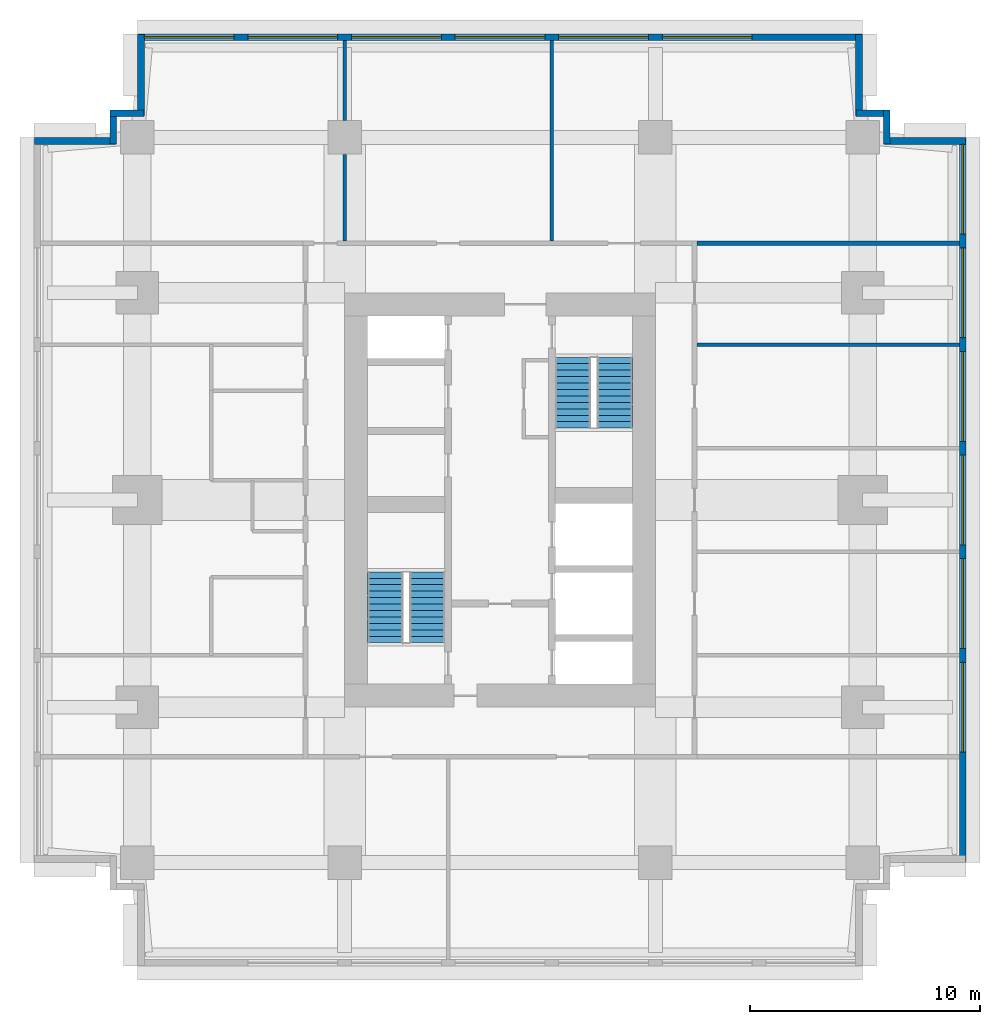
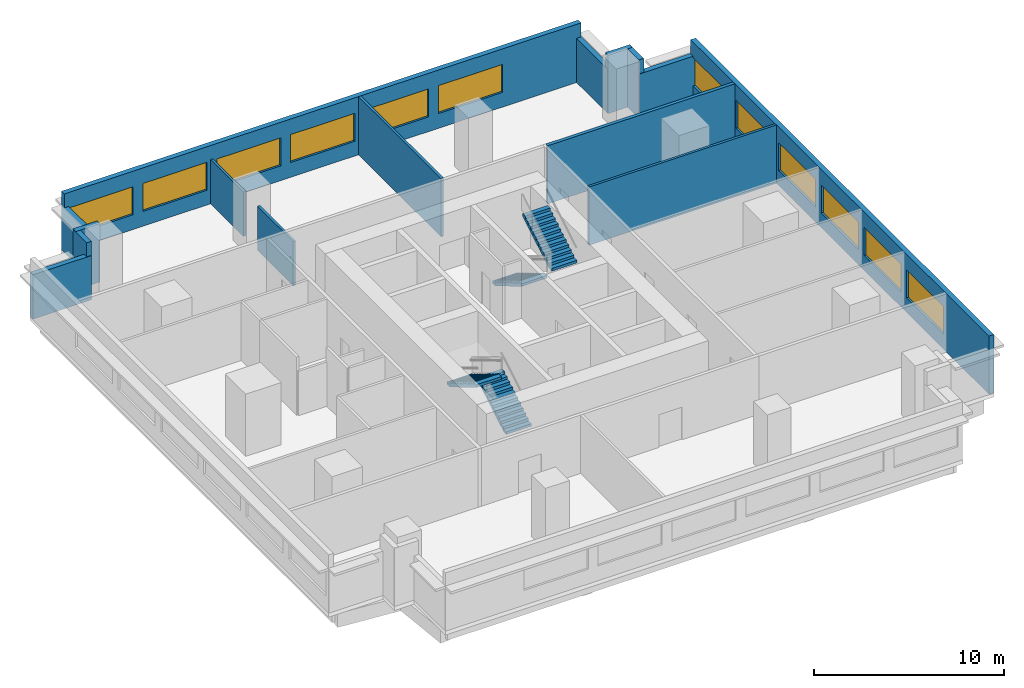
# One storey, part 4 of 5: 15 walls, 12 windows, 4 stair flights, 12 openings, 2 elements without a shape of their own.
"""IFC4 building model written with IfcOpenShell, lengths in metres."""

from ifc_helpers import new_model, si_unit, direction, frame, frame_2d, origin, place, context, subcontext, project, spatial, polyline, rectangle, outline, extrude, material, layer, layer_set, type_object, element, fill, aggregate, save


model = new_model("IFC4")

# Units and contexts
model_context = context("Model", 3, precision=1e-05, world=origin(), true_north=direction((0.0, 1.0)))
body_context = subcontext(model_context, "Body", "Model", "MODEL_VIEW")
ifc_project = project(units=[si_unit("LENGTHUNIT", "METRE"), si_unit("AREAUNIT", "SQUARE_METRE"), si_unit("VOLUMEUNIT", "CUBIC_METRE"), si_unit("PLANEANGLEUNIT", "RADIAN"), si_unit("MASSUNIT", "GRAM", prefix="KILO")], contexts=[model_context])

# Site, building, storey
site_placement = place(None, origin())
site = spatial("IfcSite", under=ifc_project, at=site_placement, CompositionType="ELEMENT")
building_placement = place(site_placement, origin())
building = spatial("IfcBuilding", under=site, at=building_placement, Name="Namib Vertical Campus", CompositionType="ELEMENT")
storey_placement = place(building_placement, frame((0.0, 0.0, 257.0)))
storey = spatial("IfcBuildingStorey", under=building, at=storey_placement, Name="L60", CompositionType="ELEMENT", Elevation=257.0)

# Wall
ifc_material_1 = material(Name="Concrete masonry", Category="masonry")
ifc_layer_1 = layer(ifc_material_1, 0.199951171875)
ifc_layer_set_1 = layer_set([ifc_layer_1], Name="Corridor wall 200")
wall_type_1 = type_object("IfcWallType", Name="Corridor wall 200", PredefinedType="SOLIDWALL", material=ifc_layer_set_1)
wall_1_placement = place(storey_placement, frame((28.800048828125, 31.39990234375, 0.0), z_axis=(0.0, 0.0, 1.0), x_axis=(1.0, 0.0, 0.0)))
element("IfcWall", 1, at=wall_1_placement, inside=storey, type_object=wall_type_1, Name="Partition A L60 BNE", PredefinedType="SOLIDWALL", context=body_context, shape_type="SweptSolid", body=[
    extrude(rectangle(XDim=11.39990234375, YDim=0.199951171875, at=frame_2d((5.699951171875, 0.0))), origin(), (0.0, 0.0, 1.0), 3.75),
])

# Wall, openings, windows
ifc_material_2 = material(Name="Concrete C40/50", Category="concrete")
ifc_layer_2 = layer(ifc_material_2, 0.300048828125)
ifc_layer_set_2 = layer_set([ifc_layer_2], Name="Concrete C40/50")
wall_type_2 = type_object("IfcWallType", Name="External wall 300 board-marked concrete", PredefinedType="STANDARD", material=ifc_layer_set_2)
wall_2_placement = place(storey_placement, frame((40.35009765625, 4.52001953125, 0.0), z_axis=(0.0, 0.0, 1.0), x_axis=(0.0, 1.0, 0.0)))
wall_2 = element("IfcWall", 2, at=wall_2_placement, inside=storey, type_object=wall_type_2, Name="External wall L60 F06", PredefinedType="STANDARD", context=body_context, shape_type="SweptSolid", body=[
    extrude(rectangle(XDim=31.4599609375, YDim=0.300048828125, at=frame_2d((15.72998046875, 0.0))), origin(), (0.0, 0.0, 1.0), 3.75),
])
opening_1_placement = place(wall_2_placement, frame((4.780029296875, 0.0, 0.949951171875)))
opening_1 = element("IfcOpeningElement", 3, at=opening_1_placement, cuts=wall_2, Name="Opening W3", PredefinedType="OPENING", context=body_context, shape_type="SweptSolid", body=[
    extrude(rectangle(XDim=3.89990234375, YDim=1.800048828125, at=frame_2d((1.949951171875, 0.89990234375))), frame((0.0, 0.159912109375, 0.0), z_axis=(0.0, -1.0, 0.0), x_axis=(1.0, 0.0, 0.0)), (0.0, 0.0, 1.0), 0.320068359375),
])
opening_2_placement = place(wall_2_placement, frame((9.280029296875, 0.0, 0.949951171875)))
opening_2 = element("IfcOpeningElement", 4, at=opening_2_placement, cuts=wall_2, Name="Opening W3", PredefinedType="OPENING", context=body_context, shape_type="SweptSolid", body=[
    extrude(rectangle(XDim=3.89990234375, YDim=1.800048828125, at=frame_2d((1.949951171875, 0.89990234375))), frame((0.0, 0.159912109375, 0.0), z_axis=(0.0, -1.0, 0.0), x_axis=(1.0, 0.0, 0.0)), (0.0, 0.0, 1.0), 0.320068359375),
])
opening_3_placement = place(wall_2_placement, frame((13.780029296875, 0.0, 0.949951171875)))
opening_3 = element("IfcOpeningElement", 5, at=opening_3_placement, cuts=wall_2, Name="Opening W3", PredefinedType="OPENING", context=body_context, shape_type="SweptSolid", body=[
    extrude(rectangle(XDim=3.89990234375, YDim=1.800048828125, at=frame_2d((1.949951171875, 0.89990234375))), frame((0.0, 0.159912109375, 0.0), z_axis=(0.0, -1.0, 0.0), x_axis=(1.0, 0.0, 0.0)), (0.0, 0.0, 1.0), 0.320068359375),
])
opening_4_placement = place(wall_2_placement, frame((18.280029296875, 0.0, 0.949951171875)))
opening_4 = element("IfcOpeningElement", 6, at=opening_4_placement, cuts=wall_2, Name="Opening W3", PredefinedType="OPENING", context=body_context, shape_type="SweptSolid", body=[
    extrude(rectangle(XDim=3.89990234375, YDim=1.800048828125, at=frame_2d((1.949951171875, 0.89990234375))), frame((0.0, 0.159912109375, 0.0), z_axis=(0.0, -1.0, 0.0), x_axis=(1.0, 0.0, 0.0)), (0.0, 0.0, 1.0), 0.320068359375),
])
opening_5_placement = place(wall_2_placement, frame((22.780029296875, 0.0, 0.949951171875)))
opening_5 = element("IfcOpeningElement", 7, at=opening_5_placement, cuts=wall_2, Name="Opening W3", PredefinedType="OPENING", context=body_context, shape_type="SweptSolid", body=[
    extrude(rectangle(XDim=3.89990234375, YDim=1.800048828125, at=frame_2d((1.949951171875, 0.89990234375))), frame((0.0, 0.159912109375, 0.0), z_axis=(0.0, -1.0, 0.0), x_axis=(1.0, 0.0, 0.0)), (0.0, 0.0, 1.0), 0.320068359375),
])
opening_6_placement = place(wall_2_placement, frame((27.280029296875, 0.0, 0.949951171875)))
opening_6 = element("IfcOpeningElement", 8, at=opening_6_placement, cuts=wall_2, Name="Opening W3", PredefinedType="OPENING", context=body_context, shape_type="SweptSolid", body=[
    extrude(rectangle(XDim=3.89990234375, YDim=1.800048828125, at=frame_2d((1.949951171875, 0.89990234375))), frame((0.0, 0.159912109375, 0.0), z_axis=(0.0, -1.0, 0.0), x_axis=(1.0, 0.0, 0.0)), (0.0, 0.0, 1.0), 0.320068359375),
])
ifc_material_3 = material(Name="Dark tinted glass in black aluminium frame", Category="aluminium")
window_type = type_object("IfcWindowType", Name="Ribbon window 3900x1800", PartitioningType="SINGLE_PANEL", PredefinedType="WINDOW", material=ifc_material_3)
window_1_placement = place(opening_1_placement, origin())
window_1 = element("IfcWindow", 9, at=window_1_placement, inside=storey, type_object=window_type, Name="Window W3 L60 F06-2", OverallHeight=1.800048828125, OverallWidth=3.89990234375, PartitioningType="SINGLE_PANEL", PredefinedType="WINDOW", context=body_context, shape_type="SweptSolid", body=[
    extrude(rectangle(XDim=3.89990234375, YDim=1.800048828125, at=frame_2d((1.949951171875, 0.89990234375))), frame((0.0, 0.030029296875, 0.0), z_axis=(0.0, -1.0, 0.0), x_axis=(1.0, 0.0, 0.0)), (0.0, 0.0, 1.0), 0.06005859375),
])
fill(opening_1, window_1)
window_2_placement = place(opening_2_placement, origin())
window_2 = element("IfcWindow", 10, at=window_2_placement, inside=storey, type_object=window_type, Name="Window W3 L60 F06-3", OverallHeight=1.800048828125, OverallWidth=3.89990234375, PartitioningType="SINGLE_PANEL", PredefinedType="WINDOW", context=body_context, shape_type="SweptSolid", body=[
    extrude(rectangle(XDim=3.89990234375, YDim=1.800048828125, at=frame_2d((1.949951171875, 0.89990234375))), frame((0.0, 0.030029296875, 0.0), z_axis=(0.0, -1.0, 0.0), x_axis=(1.0, 0.0, 0.0)), (0.0, 0.0, 1.0), 0.06005859375),
])
fill(opening_2, window_2)
window_3_placement = place(opening_3_placement, origin())
window_3 = element("IfcWindow", 11, at=window_3_placement, inside=storey, type_object=window_type, Name="Window W3 L60 F06-4", OverallHeight=1.800048828125, OverallWidth=3.89990234375, PartitioningType="SINGLE_PANEL", PredefinedType="WINDOW", context=body_context, shape_type="SweptSolid", body=[
    extrude(rectangle(XDim=3.89990234375, YDim=1.800048828125, at=frame_2d((1.949951171875, 0.89990234375))), frame((0.0, 0.030029296875, 0.0), z_axis=(0.0, -1.0, 0.0), x_axis=(1.0, 0.0, 0.0)), (0.0, 0.0, 1.0), 0.06005859375),
])
fill(opening_3, window_3)
window_4_placement = place(opening_4_placement, origin())
window_4 = element("IfcWindow", 12, at=window_4_placement, inside=storey, type_object=window_type, Name="Window W3 L60 F06-5", OverallHeight=1.800048828125, OverallWidth=3.89990234375, PartitioningType="SINGLE_PANEL", PredefinedType="WINDOW", context=body_context, shape_type="SweptSolid", body=[
    extrude(rectangle(XDim=3.89990234375, YDim=1.800048828125, at=frame_2d((1.949951171875, 0.89990234375))), frame((0.0, 0.030029296875, 0.0), z_axis=(0.0, -1.0, 0.0), x_axis=(1.0, 0.0, 0.0)), (0.0, 0.0, 1.0), 0.06005859375),
])
fill(opening_4, window_4)
window_5_placement = place(opening_5_placement, origin())
window_5 = element("IfcWindow", 13, at=window_5_placement, inside=storey, type_object=window_type, Name="Window W3 L60 F06-6", OverallHeight=1.800048828125, OverallWidth=3.89990234375, PartitioningType="SINGLE_PANEL", PredefinedType="WINDOW", context=body_context, shape_type="SweptSolid", body=[
    extrude(rectangle(XDim=3.89990234375, YDim=1.800048828125, at=frame_2d((1.949951171875, 0.89990234375))), frame((0.0, 0.030029296875, 0.0), z_axis=(0.0, -1.0, 0.0), x_axis=(1.0, 0.0, 0.0)), (0.0, 0.0, 1.0), 0.06005859375),
])
fill(opening_5, window_5)
window_6_placement = place(opening_6_placement, origin())
window_6 = element("IfcWindow", 14, at=window_6_placement, inside=storey, type_object=window_type, Name="Window W3 L60 F06-7", OverallHeight=1.800048828125, OverallWidth=3.89990234375, PartitioningType="SINGLE_PANEL", PredefinedType="WINDOW", context=body_context, shape_type="SweptSolid", body=[
    extrude(rectangle(XDim=3.89990234375, YDim=1.800048828125, at=frame_2d((1.949951171875, 0.89990234375))), frame((0.0, 0.030029296875, 0.0), z_axis=(0.0, -1.0, 0.0), x_axis=(1.0, 0.0, 0.0)), (0.0, 0.0, 1.0), 0.06005859375),
])
fill(opening_6, window_6)

# Walls
wall_3_placement = place(storey_placement, frame((40.47998046875, 35.85009765625, 0.0), z_axis=(0.0, 0.0, 1.0), x_axis=(-1.0, 0.0, 0.0)))
element("IfcWall", 15, at=wall_3_placement, inside=storey, type_object=wall_type_2, Name="External wall L60 F07", PredefinedType="STANDARD", context=body_context, shape_type="SweptSolid", body=[
    extrude(rectangle(XDim=3.56005859375, YDim=0.300048828125, at=frame_2d((1.780029296875, 0.0))), origin(), (0.0, 0.0, 1.0), 2.85009765625),
])
for number, where, z_axis, x_axis, name in (
    (16, (37.050048828125, 35.719970703125, 0.0), (0.0, 0.0, 1.0), (0.0, 1.0, 0.0), "External wall L60 F08"),
    (17, (37.179931640625, 37.050048828125, 0.0), (0.0, 0.0, 1.0), (-1.0, 0.0, 0.0), "External wall L60 F09"),
):
    element("IfcWall", number, at=place(storey_placement, frame(where, z_axis=z_axis, x_axis=x_axis)), inside=storey, type_object=wall_type_2, Name=name, PredefinedType="STANDARD", context=body_context, shape_type="SweptSolid", body=[
        extrude(rectangle(XDim=1.4599609375, YDim=0.300048828125, at=frame_2d((0.72998046875, 0.0))), origin(), (0.0, 0.0, 1.0), 3.75),
    ])
wall_4_placement = place(storey_placement, frame((35.85009765625, 36.919921875, 0.0), z_axis=(0.0, 0.0, 1.0), x_axis=(0.0, 1.0, 0.0)))
element("IfcWall", 18, at=wall_4_placement, inside=storey, type_object=wall_type_2, Name="External wall L60 F10", PredefinedType="STANDARD", context=body_context, shape_type="SweptSolid", body=[
    extrude(rectangle(XDim=3.56005859375, YDim=0.300048828125, at=frame_2d((1.780029296875, 0.0))), origin(), (0.0, 0.0, 1.0), 2.85009765625),
])

# Wall, openings, windows
wall_5_placement = place(storey_placement, frame((35.97998046875, 40.35009765625, 0.0), z_axis=(0.0, 0.0, 1.0), x_axis=(-1.0, 0.0, 0.0)))
wall_5 = element("IfcWall", 19, at=wall_5_placement, inside=storey, type_object=wall_type_2, Name="External wall L60 F11", PredefinedType="STANDARD", context=body_context, shape_type="SweptSolid", body=[
    extrude(rectangle(XDim=31.4599609375, YDim=0.300048828125, at=frame_2d((15.72998046875, 0.0))), origin(), (0.0, 0.0, 1.0), 3.75),
])
opening_7_placement = place(wall_5_placement, frame((27.280029296875, 0.0, 0.949951171875)))
opening_7 = element("IfcOpeningElement", 20, at=opening_7_placement, cuts=wall_5, Name="Opening W3", PredefinedType="OPENING", context=body_context, shape_type="SweptSolid", body=[
    extrude(rectangle(XDim=3.89990234375, YDim=1.800048828125, at=frame_2d((1.949951171875, 0.89990234375))), frame((0.0, 0.159912109375, 0.0), z_axis=(0.0, -1.0, 0.0), x_axis=(1.0, 0.0, 0.0)), (0.0, 0.0, 1.0), 0.320068359375),
])
opening_8_placement = place(wall_5_placement, frame((22.780029296875, 0.0, 0.949951171875)))
opening_8 = element("IfcOpeningElement", 21, at=opening_8_placement, cuts=wall_5, Name="Opening W3", PredefinedType="OPENING", context=body_context, shape_type="SweptSolid", body=[
    extrude(rectangle(XDim=3.89990234375, YDim=1.800048828125, at=frame_2d((1.949951171875, 0.89990234375))), frame((0.0, 0.159912109375, 0.0), z_axis=(0.0, -1.0, 0.0), x_axis=(1.0, 0.0, 0.0)), (0.0, 0.0, 1.0), 0.320068359375),
])
opening_9_placement = place(wall_5_placement, frame((18.280029296875, 0.0, 0.949951171875)))
opening_9 = element("IfcOpeningElement", 22, at=opening_9_placement, cuts=wall_5, Name="Opening W3", PredefinedType="OPENING", context=body_context, shape_type="SweptSolid", body=[
    extrude(rectangle(XDim=3.89990234375, YDim=1.800048828125, at=frame_2d((1.949951171875, 0.89990234375))), frame((0.0, 0.159912109375, 0.0), z_axis=(0.0, -1.0, 0.0), x_axis=(1.0, 0.0, 0.0)), (0.0, 0.0, 1.0), 0.320068359375),
])
opening_10_placement = place(wall_5_placement, frame((13.780029296875, 0.0, 0.949951171875)))
opening_10 = element("IfcOpeningElement", 23, at=opening_10_placement, cuts=wall_5, Name="Opening W3", PredefinedType="OPENING", context=body_context, shape_type="SweptSolid", body=[
    extrude(rectangle(XDim=3.89990234375, YDim=1.800048828125, at=frame_2d((1.949951171875, 0.89990234375))), frame((0.0, 0.159912109375, 0.0), z_axis=(0.0, -1.0, 0.0), x_axis=(1.0, 0.0, 0.0)), (0.0, 0.0, 1.0), 0.320068359375),
])
opening_11_placement = place(wall_5_placement, frame((9.280029296875, 0.0, 0.949951171875)))
opening_11 = element("IfcOpeningElement", 24, at=opening_11_placement, cuts=wall_5, Name="Opening W3", PredefinedType="OPENING", context=body_context, shape_type="SweptSolid", body=[
    extrude(rectangle(XDim=3.89990234375, YDim=1.800048828125, at=frame_2d((1.949951171875, 0.89990234375))), frame((0.0, 0.159912109375, 0.0), z_axis=(0.0, -1.0, 0.0), x_axis=(1.0, 0.0, 0.0)), (0.0, 0.0, 1.0), 0.320068359375),
])
opening_12_placement = place(wall_5_placement, frame((4.780029296875, 0.0, 0.949951171875)))
opening_12 = element("IfcOpeningElement", 25, at=opening_12_placement, cuts=wall_5, Name="Opening W3", PredefinedType="OPENING", context=body_context, shape_type="SweptSolid", body=[
    extrude(rectangle(XDim=3.89990234375, YDim=1.800048828125, at=frame_2d((1.949951171875, 0.89990234375))), frame((0.0, 0.159912109375, 0.0), z_axis=(0.0, -1.0, 0.0), x_axis=(1.0, 0.0, 0.0)), (0.0, 0.0, 1.0), 0.320068359375),
])
window_7_placement = place(opening_7_placement, origin())
window_7 = element("IfcWindow", 26, at=window_7_placement, inside=storey, type_object=window_type, Name="Window W3 L60 F11-1", OverallHeight=1.800048828125, OverallWidth=3.89990234375, PartitioningType="SINGLE_PANEL", PredefinedType="WINDOW", context=body_context, shape_type="SweptSolid", body=[
    extrude(rectangle(XDim=3.89990234375, YDim=1.800048828125, at=frame_2d((1.949951171875, 0.89990234375))), frame((0.0, 0.030029296875, 0.0), z_axis=(0.0, -1.0, 0.0), x_axis=(1.0, 0.0, 0.0)), (0.0, 0.0, 1.0), 0.06005859375),
])
fill(opening_7, window_7)
window_8_placement = place(opening_8_placement, origin())
window_8 = element("IfcWindow", 27, at=window_8_placement, inside=storey, type_object=window_type, Name="Window W3 L60 F11-2", OverallHeight=1.800048828125, OverallWidth=3.89990234375, PartitioningType="SINGLE_PANEL", PredefinedType="WINDOW", context=body_context, shape_type="SweptSolid", body=[
    extrude(rectangle(XDim=3.89990234375, YDim=1.800048828125, at=frame_2d((1.949951171875, 0.89990234375))), frame((0.0, 0.030029296875, 0.0), z_axis=(0.0, -1.0, 0.0), x_axis=(1.0, 0.0, 0.0)), (0.0, 0.0, 1.0), 0.06005859375),
])
fill(opening_8, window_8)
window_9_placement = place(opening_9_placement, origin())
window_9 = element("IfcWindow", 28, at=window_9_placement, inside=storey, type_object=window_type, Name="Window W3 L60 F11-3", OverallHeight=1.800048828125, OverallWidth=3.89990234375, PartitioningType="SINGLE_PANEL", PredefinedType="WINDOW", context=body_context, shape_type="SweptSolid", body=[
    extrude(rectangle(XDim=3.89990234375, YDim=1.800048828125, at=frame_2d((1.949951171875, 0.89990234375))), frame((0.0, 0.030029296875, 0.0), z_axis=(0.0, -1.0, 0.0), x_axis=(1.0, 0.0, 0.0)), (0.0, 0.0, 1.0), 0.06005859375),
])
fill(opening_9, window_9)
window_10_placement = place(opening_10_placement, origin())
window_10 = element("IfcWindow", 29, at=window_10_placement, inside=storey, type_object=window_type, Name="Window W3 L60 F11-4", OverallHeight=1.800048828125, OverallWidth=3.89990234375, PartitioningType="SINGLE_PANEL", PredefinedType="WINDOW", context=body_context, shape_type="SweptSolid", body=[
    extrude(rectangle(XDim=3.89990234375, YDim=1.800048828125, at=frame_2d((1.949951171875, 0.89990234375))), frame((0.0, 0.030029296875, 0.0), z_axis=(0.0, -1.0, 0.0), x_axis=(1.0, 0.0, 0.0)), (0.0, 0.0, 1.0), 0.06005859375),
])
fill(opening_10, window_10)
window_11_placement = place(opening_11_placement, origin())
window_11 = element("IfcWindow", 30, at=window_11_placement, inside=storey, type_object=window_type, Name="Window W3 L60 F11-5", OverallHeight=1.800048828125, OverallWidth=3.89990234375, PartitioningType="SINGLE_PANEL", PredefinedType="WINDOW", context=body_context, shape_type="SweptSolid", body=[
    extrude(rectangle(XDim=3.89990234375, YDim=1.800048828125, at=frame_2d((1.949951171875, 0.89990234375))), frame((0.0, 0.030029296875, 0.0), z_axis=(0.0, -1.0, 0.0), x_axis=(1.0, 0.0, 0.0)), (0.0, 0.0, 1.0), 0.06005859375),
])
fill(opening_11, window_11)
window_12_placement = place(opening_12_placement, origin())
window_12 = element("IfcWindow", 31, at=window_12_placement, inside=storey, type_object=window_type, Name="Window W3 L60 F11-6", OverallHeight=1.800048828125, OverallWidth=3.89990234375, PartitioningType="SINGLE_PANEL", PredefinedType="WINDOW", context=body_context, shape_type="SweptSolid", body=[
    extrude(rectangle(XDim=3.89990234375, YDim=1.800048828125, at=frame_2d((1.949951171875, 0.89990234375))), frame((0.0, 0.030029296875, 0.0), z_axis=(0.0, -1.0, 0.0), x_axis=(1.0, 0.0, 0.0)), (0.0, 0.0, 1.0), 0.06005859375),
])
fill(opening_12, window_12)

# Walls
wall_6_placement = place(storey_placement, frame((4.64990234375, 40.47998046875, 0.0), z_axis=(0.0, 0.0, 1.0), x_axis=(0.0, -1.0, 0.0)))
element("IfcWall", 32, at=wall_6_placement, inside=storey, type_object=wall_type_2, Name="External wall L60 F12", PredefinedType="STANDARD", context=body_context, shape_type="SweptSolid", body=[
    extrude(rectangle(XDim=3.56005859375, YDim=0.300048828125, at=frame_2d((1.780029296875, 0.0))), origin(), (0.0, 0.0, 1.0), 2.85009765625),
])
for number, where, z_axis, x_axis, name in (
    (33, (4.780029296875, 37.050048828125, 0.0), (0.0, 0.0, 1.0), (-1.0, 0.0, 0.0), "External wall L60 F13"),
    (34, (3.449951171875, 37.179931640625, 0.0), (0.0, 0.0, 1.0), (0.0, -1.0, 0.0), "External wall L60 F14"),
):
    element("IfcWall", number, at=place(storey_placement, frame(where, z_axis=z_axis, x_axis=x_axis)), inside=storey, type_object=wall_type_2, Name=name, PredefinedType="STANDARD", context=body_context, shape_type="SweptSolid", body=[
        extrude(rectangle(XDim=1.4599609375, YDim=0.300048828125, at=frame_2d((0.72998046875, 0.0))), origin(), (0.0, 0.0, 1.0), 3.75),
    ])
wall_7_placement = place(storey_placement, frame((3.580078125, 35.85009765625, 0.0), z_axis=(0.0, 0.0, 1.0), x_axis=(-1.0, 0.0, 0.0)))
element("IfcWall", 35, at=wall_7_placement, inside=storey, type_object=wall_type_2, Name="External wall L60 F15", PredefinedType="STANDARD", context=body_context, shape_type="SweptSolid", body=[
    extrude(rectangle(XDim=3.56005859375, YDim=0.300048828125, at=frame_2d((1.780029296875, 0.0))), origin(), (0.0, 0.0, 1.0), 2.85009765625),
])
ifc_material_4 = material(Name="Gypsum board on steel studs", Category="steel")
ifc_layer_3 = layer(ifc_material_4, 0.14990234375)
ifc_layer_set_3 = layer_set([ifc_layer_3], Name="Gypsum board on steel studs")
wall_type_3 = type_object("IfcWallType", Name="Partition 150", PredefinedType="PARTITIONING", material=ifc_layer_set_3)
wall_8_placement = place(storey_placement, frame((13.5, 31.5, 0.0), z_axis=(0.0, 0.0, 1.0), x_axis=(0.0, 1.0, 0.0)))
element("IfcWall", 36, at=wall_8_placement, inside=storey, type_object=wall_type_3, Name="Partition A L60 PN1", PredefinedType="PARTITIONING", context=body_context, shape_type="SweptSolid", body=[
    extrude(rectangle(XDim=3.7548828125, YDim=0.14990234375, at=frame_2d((1.87744140625, 0.0))), origin(), (0.0, 0.0, 1.0), 2.85009765625),
])
wall_9_placement = place(storey_placement, frame((13.5, 36.7451171875, 0.0), z_axis=(0.0, 0.0, 1.0), x_axis=(0.0, 1.0, 0.0)))
element("IfcWall", 37, at=wall_9_placement, inside=storey, type_object=wall_type_3, Name="Partition A L60 PN1", PredefinedType="PARTITIONING", context=body_context, shape_type="SweptSolid", body=[
    extrude(rectangle(XDim=3.454833984375, YDim=0.14990234375, at=frame_2d((1.7275390625, 0.0))), origin(), (0.0, 0.0, 1.0), 2.85009765625),
])
wall_10_placement = place(storey_placement, frame((22.5, 31.5, 0.0), z_axis=(0.0, 0.0, 1.0), x_axis=(0.0, 1.0, 0.0)))
element("IfcWall", 38, at=wall_10_placement, inside=storey, type_object=wall_type_3, Name="Partition A L60 PN2", PredefinedType="PARTITIONING", context=body_context, shape_type="SweptSolid", body=[
    extrude(rectangle(XDim=8.699951171875, YDim=0.14990234375, at=frame_2d((4.35009765625, 0.0))), origin(), (0.0, 0.0, 1.0), 3.75),
])
wall_11_placement = place(storey_placement, frame((28.800048828125, 27.0, 0.0), z_axis=(0.0, 0.0, 1.0), x_axis=(1.0, 0.0, 0.0)))
element("IfcWall", 39, at=wall_11_placement, inside=storey, type_object=wall_type_3, Name="Partition A L60 PE4", PredefinedType="PARTITIONING", context=body_context, shape_type="SweptSolid", body=[
    extrude(rectangle(XDim=11.39990234375, YDim=0.14990234375, at=frame_2d((5.699951171875, 0.0))), origin(), (0.0, 0.0, 1.0), 3.75),
])

# Stair, stair flights
ifc_material_5 = material(Name="Concrete C40/50 precast", Category="concrete")
stair_type = type_object("IfcStairType", Name="Exit stair 4000 rise 24 risers 3350 wide", PredefinedType="HALF_TURN_STAIR", material=ifc_material_5)
stair_1_placement = place(storey_placement, origin())
stair_1 = element("IfcStair", 40, at=stair_1_placement, inside=storey, type_object=stair_type, Name="Exit stair A-S1 L60", PredefinedType="HALF_TURN_STAIR")
ifc_material_6 = material(Name="Concrete C40/50 precast", Category="concrete")
stair_flight_type = type_object("IfcStairFlightType", Name="Stair flight 12 risers 167 1525 wide", PredefinedType="STRAIGHT", material=ifc_material_6)
stair_flight_1_placement = place(storey_placement, frame((17.08740234375, 14.050048828125, 0.0), z_axis=(0.0, 0.0, 1.0), x_axis=(0.0, 1.0, 0.0)))
stair_flight_1 = element("IfcStairFlight", 41, at=stair_flight_1_placement, type_object=stair_flight_type, Name="A-S1 flight 1", NumberOfRisers=12, NumberOfTreads=11, PredefinedType="STRAIGHT", RiserHeight=0.166666667, TreadLength=0.28, context=body_context, shape_type="SweptSolid", body=[
    extrude(outline(polyline([(0.0, 0.0), (0.0, 0.166748046875), (0.280029296875, 0.166748046875), (0.280029296875, 0.333251953125), (0.56005859375, 0.333251953125), (0.56005859375, 0.5), (0.840087890625, 0.5), (0.840087890625, 0.666748046875), (1.1201171875, 0.666748046875), (1.1201171875, 0.833251953125), (1.39990234375, 0.833251953125), (1.39990234375, 1.0), (1.679931640625, 1.0), (1.679931640625, 1.166748046875), (1.9599609375, 1.166748046875), (1.9599609375, 1.333251953125), (2.239990234375, 1.333251953125), (2.239990234375, 1.5), (2.52001953125, 1.5), (2.52001953125, 1.666748046875), (2.800048828125, 1.666748046875), (2.800048828125, 1.833251953125), (3.080078125, 1.833251953125), (3.080078125, 2.0), (3.080078125, 1.658935546875), (0.29296875, 0.0), (0.0, 0.0)])), frame((0.0, 0.762451171875, 0.0), z_axis=(0.0, -1.0, 0.0), x_axis=(1.0, 0.0, 0.0)), (0.0, 0.0, 1.0), 1.52490234375),
])
stair_flight_2_placement = place(storey_placement, frame((15.262451171875, 17.1298828125, 2.0), z_axis=(0.0, 0.0, 1.0), x_axis=(0.0, -1.0, 0.0)))
stair_flight_2 = element("IfcStairFlight", 42, at=stair_flight_2_placement, type_object=stair_flight_type, Name="A-S1 flight 2", NumberOfRisers=12, NumberOfTreads=11, PredefinedType="STRAIGHT", RiserHeight=0.166666667, TreadLength=0.28, context=body_context, shape_type="SweptSolid", body=[
    extrude(outline(polyline([(0.0, 0.0), (0.0, 0.166748046875), (0.280029296875, 0.166748046875), (0.280029296875, 0.333251953125), (0.56005859375, 0.333251953125), (0.56005859375, 0.5), (0.840087890625, 0.5), (0.840087890625, 0.666748046875), (1.1201171875, 0.666748046875), (1.1201171875, 0.833251953125), (1.39990234375, 0.833251953125), (1.39990234375, 1.0), (1.679931640625, 1.0), (1.679931640625, 1.166748046875), (1.9599609375, 1.166748046875), (1.9599609375, 1.333251953125), (2.239990234375, 1.333251953125), (2.239990234375, 1.5), (2.52001953125, 1.5), (2.52001953125, 1.666748046875), (2.800048828125, 1.666748046875), (2.800048828125, 1.833251953125), (3.080078125, 1.833251953125), (3.080078125, 2.0), (3.080078125, 1.658935546875), (0.29296875, 0.0), (0.0, 0.0)])), frame((0.0, 0.762451171875, 0.0), z_axis=(0.0, -1.0, 0.0), x_axis=(1.0, 0.0, 0.0)), (0.0, 0.0, 1.0), 1.52490234375),
])
aggregate(stair_1, [stair_flight_1, stair_flight_2])

stair_2_placement = place(storey_placement, origin())
stair_2 = element("IfcStair", 43, at=stair_2_placement, inside=storey, type_object=stair_type, Name="Exit stair A-S2 L60", PredefinedType="HALF_TURN_STAIR")
stair_flight_3_placement = place(storey_placement, frame((23.41259765625, 26.449951171875, 0.0), z_axis=(0.0, 0.0, 1.0), x_axis=(0.0, -1.0, 0.0)))
stair_flight_3 = element("IfcStairFlight", 44, at=stair_flight_3_placement, type_object=stair_flight_type, Name="A-S2 flight 1", NumberOfRisers=12, NumberOfTreads=11, PredefinedType="STRAIGHT", RiserHeight=0.166666667, TreadLength=0.28, context=body_context, shape_type="SweptSolid", body=[
    extrude(outline(polyline([(0.0, 0.0), (0.0, 0.166748046875), (0.280029296875, 0.166748046875), (0.280029296875, 0.333251953125), (0.56005859375, 0.333251953125), (0.56005859375, 0.5), (0.840087890625, 0.5), (0.840087890625, 0.666748046875), (1.1201171875, 0.666748046875), (1.1201171875, 0.833251953125), (1.39990234375, 0.833251953125), (1.39990234375, 1.0), (1.679931640625, 1.0), (1.679931640625, 1.166748046875), (1.9599609375, 1.166748046875), (1.9599609375, 1.333251953125), (2.239990234375, 1.333251953125), (2.239990234375, 1.5), (2.52001953125, 1.5), (2.52001953125, 1.666748046875), (2.800048828125, 1.666748046875), (2.800048828125, 1.833251953125), (3.080078125, 1.833251953125), (3.080078125, 2.0), (3.080078125, 1.658935546875), (0.29296875, 0.0), (0.0, 0.0)])), frame((0.0, 0.762451171875, 0.0), z_axis=(0.0, -1.0, 0.0), x_axis=(1.0, 0.0, 0.0)), (0.0, 0.0, 1.0), 1.52490234375),
])
stair_flight_4_placement = place(storey_placement, frame((25.237548828125, 23.3701171875, 2.0), z_axis=(0.0, 0.0, 1.0), x_axis=(0.0, 1.0, 0.0)))
stair_flight_4 = element("IfcStairFlight", 45, at=stair_flight_4_placement, type_object=stair_flight_type, Name="A-S2 flight 2", NumberOfRisers=12, NumberOfTreads=11, PredefinedType="STRAIGHT", RiserHeight=0.166666667, TreadLength=0.28, context=body_context, shape_type="SweptSolid", body=[
    extrude(outline(polyline([(0.0, 0.0), (0.0, 0.166748046875), (0.280029296875, 0.166748046875), (0.280029296875, 0.333251953125), (0.56005859375, 0.333251953125), (0.56005859375, 0.5), (0.840087890625, 0.5), (0.840087890625, 0.666748046875), (1.1201171875, 0.666748046875), (1.1201171875, 0.833251953125), (1.39990234375, 0.833251953125), (1.39990234375, 1.0), (1.679931640625, 1.0), (1.679931640625, 1.166748046875), (1.9599609375, 1.166748046875), (1.9599609375, 1.333251953125), (2.239990234375, 1.333251953125), (2.239990234375, 1.5), (2.52001953125, 1.5), (2.52001953125, 1.666748046875), (2.800048828125, 1.666748046875), (2.800048828125, 1.833251953125), (3.080078125, 1.833251953125), (3.080078125, 2.0), (3.080078125, 1.658935546875), (0.29296875, 0.0), (0.0, 0.0)])), frame((0.0, 0.762451171875, 0.0), z_axis=(0.0, -1.0, 0.0), x_axis=(1.0, 0.0, 0.0)), (0.0, 0.0, 1.0), 1.52490234375),
])
aggregate(stair_2, [stair_flight_3, stair_flight_4])

save(model, "model.ifc")
